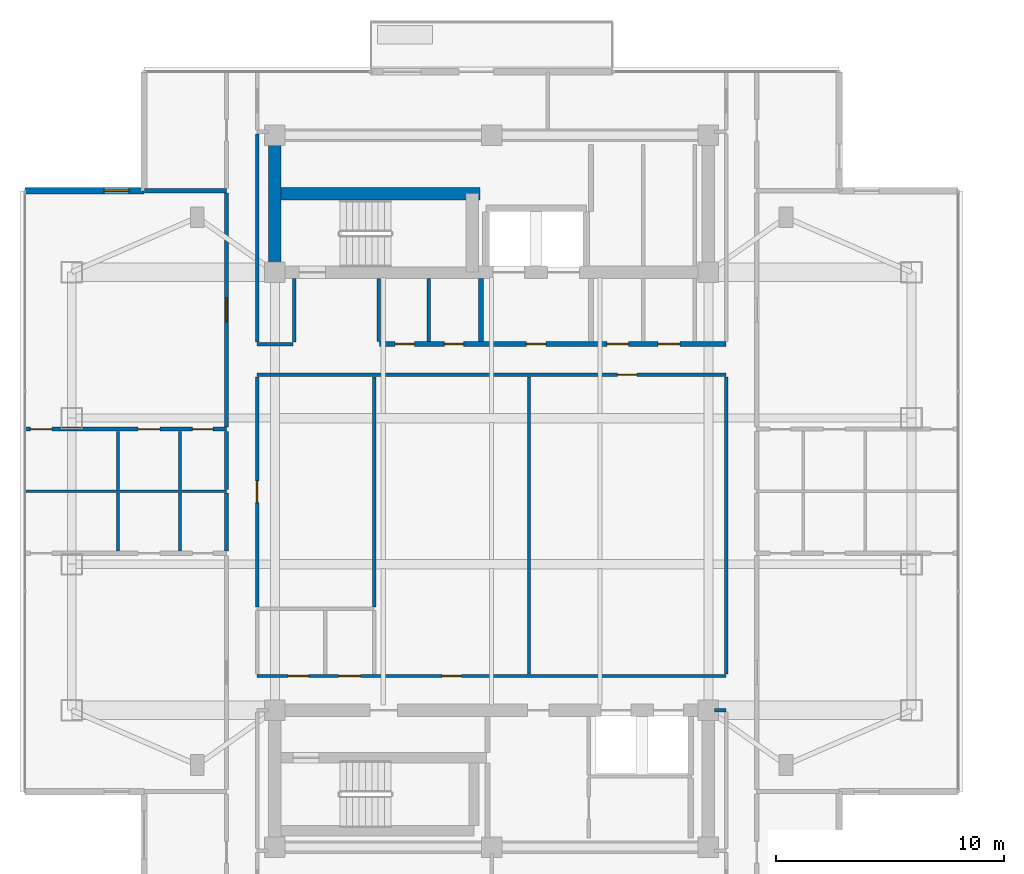
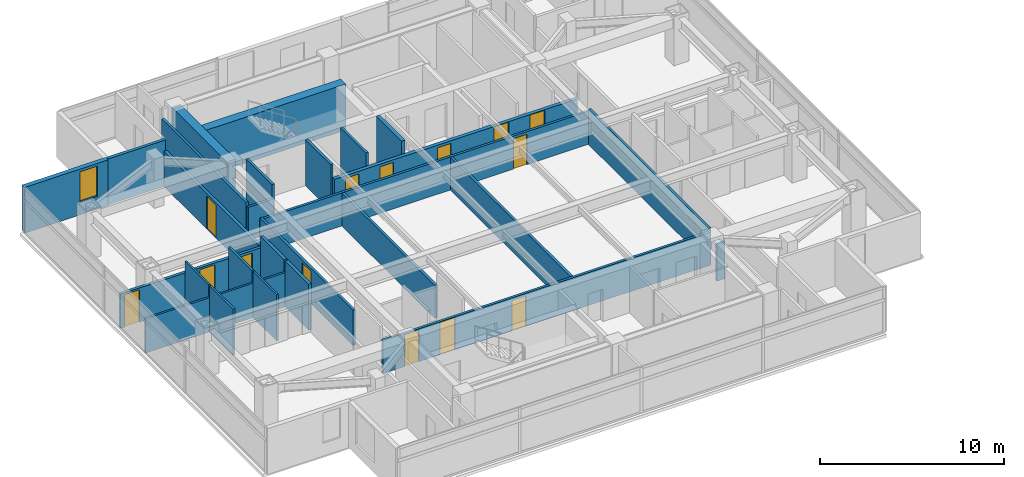
# One storey, part 13 of 24: 27 walls, 14 doors, 1 window, 15 openings.
"""IFC4 building model written with IfcOpenShell, lengths in metres."""

from ifc_helpers import new_model, si_unit, direction, frame, frame_2d, origin, place, context, subcontext, project, spatial, rectangle, extrude, material, layer, layer_set, type_object, element, fill, save


model = new_model("IFC4")

# Units and contexts
model_context = context("Model", 3, precision=1e-05, world=origin(), true_north=direction((0.0, 1.0)))
body_context = subcontext(model_context, "Body", "Model", "MODEL_VIEW")
ifc_project = project(units=[si_unit("LENGTHUNIT", "METRE"), si_unit("AREAUNIT", "SQUARE_METRE"), si_unit("VOLUMEUNIT", "CUBIC_METRE"), si_unit("PLANEANGLEUNIT", "RADIAN"), si_unit("MASSUNIT", "GRAM", prefix="KILO")], contexts=[model_context])

# Site, building, storey
site_placement = place(None, origin())
site = spatial("IfcSite", under=ifc_project, at=site_placement, CompositionType="ELEMENT")
building_placement = place(site_placement, origin())
building = spatial("IfcBuilding", under=site, at=building_placement, Name="Mirazonda Arch Towers", CompositionType="ELEMENT")
storey_placement = place(building_placement, frame((0.0, 0.0, 196.64990234375)))
storey = spatial("IfcBuildingStorey", under=building, at=storey_placement, Name="L56", CompositionType="ELEMENT", Elevation=196.64990234375)

# Walls
ifc_material_1 = material(Name="Concrete C50/60", Category="concrete")
ifc_layer_1 = layer(ifc_material_1, 0.550048828125, Name="WALL-CORE-550")
ifc_layer_set_1 = layer_set([ifc_layer_1], Name="Concrete C50/60")
wall_type_1 = type_object("IfcWallType", Name="WALL-CORE-550", PredefinedType="SHEAR", material=ifc_layer_set_1)
wall_1_placement = place(storey_placement, frame((11.0, 37.60009765625, 0.0), z_axis=(0.0, 0.0, 1.0), x_axis=(0.0, 1.0, 0.0)))
element("IfcWall", 1, at=wall_1_placement, inside=storey, type_object=wall_type_1, Name="L56 T1N-W Core Shear Wall", PredefinedType="SHEAR", context=body_context, shape_type="SweptSolid", body=[
    extrude(rectangle(XDim=6.0, YDim=0.550048828125, at=frame_2d((3.0, 0.0))), origin(), (0.0, 0.0, 1.0), 3.050048828125),
])
wall_2_placement = place(storey_placement, frame((11.0, 41.04296875, 0.0), z_axis=(0.0, 0.0, 1.0), x_axis=(1.0, 0.0, 0.0)))
element("IfcWall", 2, at=wall_2_placement, inside=storey, type_object=wall_type_1, Name="L56 T1N-STN Core Shear Wall", PredefinedType="SHEAR", context=body_context, shape_type="SweptSolid", body=[
    extrude(rectangle(XDim=9.0, YDim=0.550048828125, at=frame_2d((4.5, 0.0))), origin(), (0.0, 0.0, 1.0), 3.050048828125),
])

# Wall, opening, window
ifc_material_2 = material(Name="Precast Concrete C40/50", Category="concrete")
ifc_layer_2 = layer(ifc_material_2, 0.280029296875, Name="WALL-EXT-WALL-280")
ifc_layer_set_2 = layer_set([ifc_layer_2], Name="Precast Concrete C40/50")
wall_type_2 = type_object("IfcWallType", Name="WALL-EXT-WALL-280", PredefinedType="SOLIDWALL", material=ifc_layer_set_2)
wall_3_placement = place(storey_placement, frame((5.264892578125, 41.1669921875, 0.0), z_axis=(0.0, 0.0, 1.0), x_axis=(-1.0, 0.0, 0.0)))
wall_3 = element("IfcWall", 3, at=wall_3_placement, inside=storey, type_object=wall_type_2, Name="L56 T1 Corner Notch Return Wall WL-L56-T1-CNW1", PredefinedType="SOLIDWALL", context=body_context, shape_type="SweptSolid", body=[
    extrude(rectangle(XDim=5.21484375, YDim=0.280029296875, at=frame_2d((2.607421875, 0.0))), origin(), (0.0, 0.0, 1.0), 3.030029296875),
])
opening_1_placement = place(wall_3_placement, frame((0.64990234375, 0.0, 0.85009765625)))
opening_1 = element("IfcOpeningElement", 4, at=opening_1_placement, cuts=wall_3, Name="Opening WN-108", PredefinedType="OPENING", context=body_context, shape_type="SweptSolid", body=[
    extrude(rectangle(XDim=1.10009765625, YDim=2.0, at=frame_2d((0.550048828125, 1.0))), frame((0.0, 0.14990234375, 0.0), z_axis=(0.0, -1.0, 0.0), x_axis=(1.0, 0.0, 0.0)), (0.0, 0.0, 1.0), 0.300048828125),
])
ifc_material_3 = material(Name="Insulated Low-E Solar Glass", Category="glass")
window_type = type_object("IfcWindowType", Name="WIN-NOTCH-1100x2000", PartitioningType="SINGLE_PANEL", PredefinedType="WINDOW", material=ifc_material_3)
window_placement = place(opening_1_placement, origin())
window = element("IfcWindow", 5, at=window_placement, inside=storey, type_object=window_type, Name="L56 Punched Facade Window WN-L56-T1-CNW1", OverallHeight=2.0, OverallWidth=1.10009765625, PartitioningType="SINGLE_PANEL", PredefinedType="WINDOW", context=body_context, shape_type="SweptSolid", body=[
    extrude(rectangle(XDim=1.10009765625, YDim=2.0, at=frame_2d((0.550048828125, 1.0))), frame((0.0, 0.030029296875, 0.0), z_axis=(0.0, -1.0, 0.0), x_axis=(1.0, 0.0, 0.0)), (0.0, 0.0, 1.0), 0.06005859375),
])
fill(opening_1, window)

# Wall, openings, doors
ifc_material_4 = material(Name="Concrete C40/50", Category="concrete")
ifc_layer_3 = layer(ifc_material_4, 0.219970703125, Name="WALL-FFL-220")
ifc_layer_set_3 = layer_set([ifc_layer_3], Name="Concrete C40/50")
wall_type_3 = type_object("IfcWallType", Name="WALL-FFL-220", PredefinedType="SOLIDWALL", material=ifc_layer_set_3)
wall_4_placement = place(storey_placement, frame((15.590087890625, 34.449951171875, 0.0), z_axis=(0.0, 0.0, 1.0), x_axis=(1.0, 0.0, 0.0)))
wall_4 = element("IfcWall", 6, at=wall_4_placement, inside=storey, type_object=wall_type_3, Name="L56 Interior Partition 041", PredefinedType="SOLIDWALL", context=body_context, shape_type="SweptSolid", body=[
    extrude(rectangle(XDim=15.18994140625, YDim=0.219970703125, at=frame_2d((7.594970703125, 0.0))), origin(), (0.0, 0.0, 1.0), 2.18603515625),
])
opening_2_placement = place(wall_4_placement, frame((6.43505859375, 0.0, 0.0)))
opening_2 = element("IfcOpeningElement", 7, at=opening_2_placement, cuts=wall_4, Name="Opening DR-128", PredefinedType="OPENING", context=body_context, shape_type="SweptSolid", body=[
    extrude(rectangle(XDim=0.85009765625, YDim=2.010009765625, at=frame_2d((0.425048828125, 1.0048828125))), frame((0.0, 0.119873046875, 0.0), z_axis=(0.0, -1.0, 0.0), x_axis=(1.0, 0.0, 0.0)), (0.0, 0.0, 1.0), 0.239990234375),
])
opening_3_placement = place(wall_4_placement, frame((9.9599609375, 0.0, 0.0)))
opening_3 = element("IfcOpeningElement", 8, at=opening_3_placement, cuts=wall_4, Name="Opening DR-104", PredefinedType="OPENING", context=body_context, shape_type="SweptSolid", body=[
    extrude(rectangle(XDim=0.949951171875, YDim=2.14990234375, at=frame_2d((0.47509765625, 1.074951171875))), frame((0.0, 0.119873046875, 0.0), z_axis=(0.0, -1.0, 0.0), x_axis=(1.0, 0.0, 0.0)), (0.0, 0.0, 1.0), 0.239990234375),
])
opening_4_placement = place(wall_4_placement, frame((12.2099609375, 0.0, 0.0)))
opening_4 = element("IfcOpeningElement", 9, at=opening_4_placement, cuts=wall_4, Name="Opening DR-104", PredefinedType="OPENING", context=body_context, shape_type="SweptSolid", body=[
    extrude(rectangle(XDim=0.949951171875, YDim=2.14990234375, at=frame_2d((0.47509765625, 1.074951171875))), frame((0.0, 0.119873046875, 0.0), z_axis=(0.0, -1.0, 0.0), x_axis=(1.0, 0.0, 0.0)), (0.0, 0.0, 1.0), 0.239990234375),
])
opening_5_placement = place(wall_4_placement, frame((0.675048828125, 0.0, 0.0)))
opening_5 = element("IfcOpeningElement", 10, at=opening_5_placement, cuts=wall_4, Name="Opening DR-128", PredefinedType="OPENING", context=body_context, shape_type="SweptSolid", body=[
    extrude(rectangle(XDim=0.85009765625, YDim=2.010009765625, at=frame_2d((0.425048828125, 1.0048828125))), frame((0.0, 0.119873046875, 0.0), z_axis=(0.0, -1.0, 0.0), x_axis=(1.0, 0.0, 0.0)), (0.0, 0.0, 1.0), 0.239990234375),
])
opening_6_placement = place(wall_4_placement, frame((2.8349609375, 0.0, 0.0)))
opening_6 = element("IfcOpeningElement", 11, at=opening_6_placement, cuts=wall_4, Name="Opening DR-128", PredefinedType="OPENING", context=body_context, shape_type="SweptSolid", body=[
    extrude(rectangle(XDim=0.85009765625, YDim=2.010009765625, at=frame_2d((0.425048828125, 1.0048828125))), frame((0.0, 0.119873046875, 0.0), z_axis=(0.0, -1.0, 0.0), x_axis=(1.0, 0.0, 0.0)), (0.0, 0.0, 1.0), 0.239990234375),
])
ifc_material_5 = material(Name="Architectural Brushed Steel S355", Category="steel")
door_type_1 = type_object("IfcDoorType", Name="DOOR-RISER-FD60-850", OperationType="NOTDEFINED", PredefinedType="DOOR", material=ifc_material_5)
door_1_placement = place(opening_2_placement, origin())
door_1 = element("IfcDoor", 12, at=door_1_placement, inside=storey, type_object=door_type_1, Name="L56 Firefighting Lift Lobby Door", OperationType="SINGLE_SWING_LEFT", OverallHeight=2.010009765625, OverallWidth=0.85009765625, PredefinedType="DOOR", context=body_context, shape_type="SweptSolid", body=[
    extrude(rectangle(XDim=0.85009765625, YDim=2.010009765625, at=frame_2d((0.425048828125, 1.0048828125))), frame((0.0, 0.02490234375, 0.0), z_axis=(0.0, -1.0, 0.0), x_axis=(1.0, 0.0, 0.0)), (0.0, 0.0, 1.0), 0.050048828125),
])
fill(opening_2, door_1)
door_2_placement = place(opening_5_placement, origin())
door_2 = element("IfcDoor", 13, at=door_2_placement, inside=storey, type_object=door_type_1, Name="L56 Electrical Room Door", OperationType="SINGLE_SWING_RIGHT", OverallHeight=2.010009765625, OverallWidth=0.85009765625, PredefinedType="DOOR", context=body_context, shape_type="SweptSolid", body=[
    extrude(rectangle(XDim=0.85009765625, YDim=2.010009765625, at=frame_2d((0.425048828125, 1.0048828125))), frame((0.0, 0.02490234375, 0.0), z_axis=(0.0, -1.0, 0.0), x_axis=(1.0, 0.0, 0.0)), (0.0, 0.0, 1.0), 0.050048828125),
])
fill(opening_5, door_2)
door_3_placement = place(opening_6_placement, origin())
door_3 = element("IfcDoor", 14, at=door_3_placement, inside=storey, type_object=door_type_1, Name="L56 Cleaners & Housekeeping Store Door", OperationType="SINGLE_SWING_LEFT", OverallHeight=2.010009765625, OverallWidth=0.85009765625, PredefinedType="DOOR", context=body_context, shape_type="SweptSolid", body=[
    extrude(rectangle(XDim=0.85009765625, YDim=2.010009765625, at=frame_2d((0.425048828125, 1.0048828125))), frame((0.0, 0.02490234375, 0.0), z_axis=(0.0, -1.0, 0.0), x_axis=(1.0, 0.0, 0.0)), (0.0, 0.0, 1.0), 0.050048828125),
])
fill(opening_6, door_3)
door_type_2 = type_object("IfcDoorType", Name="DOOR-ROOM-950", OperationType="NOTDEFINED", PredefinedType="DOOR", material=ifc_material_5)
door_4_placement = place(opening_3_placement, origin())
door_4 = element("IfcDoor", 15, at=door_4_placement, inside=storey, type_object=door_type_2, Name="L56 Residents Private Art Gallery Door", OperationType="SINGLE_SWING_RIGHT", OverallHeight=2.14990234375, OverallWidth=0.949951171875, PredefinedType="DOOR", context=body_context, shape_type="SweptSolid", body=[
    extrude(rectangle(XDim=0.949951171875, YDim=2.14990234375, at=frame_2d((0.47509765625, 1.074951171875))), frame((0.0, 0.02490234375, 0.0), z_axis=(0.0, -1.0, 0.0), x_axis=(1.0, 0.0, 0.0)), (0.0, 0.0, 1.0), 0.050048828125),
])
fill(opening_3, door_4)
door_5_placement = place(opening_4_placement, origin())
door_5 = element("IfcDoor", 16, at=door_5_placement, inside=storey, type_object=door_type_2, Name="L56 Private Quiet Study Door", OperationType="SINGLE_SWING_LEFT", OverallHeight=2.14990234375, OverallWidth=0.949951171875, PredefinedType="DOOR", context=body_context, shape_type="SweptSolid", body=[
    extrude(rectangle(XDim=0.949951171875, YDim=2.14990234375, at=frame_2d((0.47509765625, 1.074951171875))), frame((0.0, 0.02490234375, 0.0), z_axis=(0.0, -1.0, 0.0), x_axis=(1.0, 0.0, 0.0)), (0.0, 0.0, 1.0), 0.050048828125),
])
fill(opening_4, door_5)

# Walls
wall_5_placement = place(storey_placement, frame((20.02490234375, 34.570068359375, 0.0), z_axis=(0.0, 0.0, 1.0), x_axis=(0.0, 1.0, 0.0)))
element("IfcWall", 17, at=wall_5_placement, inside=storey, type_object=wall_type_3, Name="L56 Interior Partition 077", PredefinedType="SOLIDWALL", context=body_context, shape_type="SweptSolid", body=[
    extrude(rectangle(XDim=2.760009765625, YDim=0.219970703125, at=frame_2d((1.3798828125, 0.0))), origin(), (0.0, 0.0, 1.0), 3.050048828125),
])
ifc_material_6 = material(Name="Fire-Rated Gypsum Stud Partition")
ifc_layer_4 = layer(ifc_material_6, 0.14990234375, Name="WALL-PART-CORR-150")
ifc_layer_set_4 = layer_set([ifc_layer_4], Name="Fire-Rated Gypsum Stud Partition")
wall_type_4 = type_object("IfcWallType", Name="WALL-PART-CORR-150", PredefinedType="PARTITIONING", material=ifc_layer_set_4)
wall_6_placement = place(storey_placement, frame((30.27001953125, 18.39990234375, 0.0), z_axis=(0.0, 0.0, 1.0), x_axis=(1.0, 0.0, 0.0)))
element("IfcWall", 18, at=wall_6_placement, inside=storey, type_object=wall_type_4, Name="L56 Interior Partition 012", PredefinedType="PARTITIONING", context=body_context, shape_type="SweptSolid", body=[
    extrude(rectangle(XDim=0.510009765625, YDim=0.14990234375, at=frame_2d((0.2548828125, 0.0))), origin(), (0.0, 0.0, 1.0), 2.442138671875),
])

# Wall, openings, doors
wall_7_placement = place(storey_placement, frame((10.219970703125, 19.89990234375, 0.0), z_axis=(0.0, 0.0, 1.0), x_axis=(1.0, 0.0, 0.0)))
wall_7 = element("IfcWall", 19, at=wall_7_placement, inside=storey, type_object=wall_type_4, Name="L56 Interior Partition 014", PredefinedType="PARTITIONING", context=body_context, shape_type="SweptSolid", body=[
    extrude(rectangle(XDim=20.56005859375, YDim=0.14990234375, at=frame_2d((10.280029296875, 0.0))), origin(), (0.0, 0.0, 1.0), 2.18603515625),
])
opening_7_placement = place(wall_7_placement, frame((1.360107421875, 0.0, 0.0)))
opening_7 = element("IfcOpeningElement", 20, at=opening_7_placement, cuts=wall_7, Name="Opening DR-120", PredefinedType="OPENING", context=body_context, shape_type="SweptSolid", body=[
    extrude(rectangle(XDim=0.89990234375, YDim=2.10009765625, at=frame_2d((0.449951171875, 1.050048828125))), frame((0.0, 0.0849609375, 0.0), z_axis=(0.0, -1.0, 0.0), x_axis=(1.0, 0.0, 0.0)), (0.0, 0.0, 1.0), 0.169921875),
])
opening_8_placement = place(wall_7_placement, frame((3.580078125, 0.0, 0.0)))
opening_8 = element("IfcOpeningElement", 21, at=opening_8_placement, cuts=wall_7, Name="Opening DR-104", PredefinedType="OPENING", context=body_context, shape_type="SweptSolid", body=[
    extrude(rectangle(XDim=0.949951171875, YDim=2.14990234375, at=frame_2d((0.47509765625, 1.074951171875))), frame((0.0, 0.0849609375, 0.0), z_axis=(0.0, -1.0, 0.0), x_axis=(1.0, 0.0, 0.0)), (0.0, 0.0, 1.0), 0.169921875),
])
opening_9_placement = place(wall_7_placement, frame((8.099609375, 0.0, 0.0)))
opening_9 = element("IfcOpeningElement", 22, at=opening_9_placement, cuts=wall_7, Name="Opening DR-128", PredefinedType="OPENING", context=body_context, shape_type="SweptSolid", body=[
    extrude(rectangle(XDim=0.85009765625, YDim=2.010009765625, at=frame_2d((0.425048828125, 1.0048828125))), frame((0.0, 0.0849609375, 0.0), z_axis=(0.0, -1.0, 0.0), x_axis=(1.0, 0.0, 0.0)), (0.0, 0.0, 1.0), 0.169921875),
])
door_6_placement = place(opening_9_placement, origin())
door_6 = element("IfcDoor", 23, at=door_6_placement, inside=storey, type_object=door_type_1, Name="L56 Residents Private Library Door", OperationType="SINGLE_SWING_LEFT", OverallHeight=2.010009765625, OverallWidth=0.85009765625, PredefinedType="DOOR", context=body_context, shape_type="SweptSolid", body=[
    extrude(rectangle(XDim=0.85009765625, YDim=2.010009765625, at=frame_2d((0.425048828125, 1.0048828125))), frame((0.0, 0.02490234375, 0.0), z_axis=(0.0, -1.0, 0.0), x_axis=(1.0, 0.0, 0.0)), (0.0, 0.0, 1.0), 0.050048828125),
])
fill(opening_9, door_6)
door_7_placement = place(opening_8_placement, origin())
door_7 = element("IfcDoor", 24, at=door_7_placement, inside=storey, type_object=door_type_2, Name="L56 L56 West Courtyard Study Door", OperationType="SINGLE_SWING_LEFT", OverallHeight=2.14990234375, OverallWidth=0.949951171875, PredefinedType="DOOR", context=body_context, shape_type="SweptSolid", body=[
    extrude(rectangle(XDim=0.949951171875, YDim=2.14990234375, at=frame_2d((0.47509765625, 1.074951171875))), frame((0.0, 0.02490234375, 0.0), z_axis=(0.0, -1.0, 0.0), x_axis=(1.0, 0.0, 0.0)), (0.0, 0.0, 1.0), 0.050048828125),
])
fill(opening_8, door_7)
door_type_3 = type_object("IfcDoorType", Name="DOOR-WC-900", OperationType="NOTDEFINED", PredefinedType="DOOR", material=ifc_material_5)
door_8_placement = place(opening_7_placement, origin())
door_8 = element("IfcDoor", 25, at=door_8_placement, inside=storey, type_object=door_type_3, Name="L56 Common Accessible WC Door", OperationType="SINGLE_SWING_RIGHT", OverallHeight=2.10009765625, OverallWidth=0.89990234375, PredefinedType="DOOR", context=body_context, shape_type="SweptSolid", body=[
    extrude(rectangle(XDim=0.89990234375, YDim=2.10009765625, at=frame_2d((0.449951171875, 1.050048828125))), frame((0.0, 0.02490234375, 0.0), z_axis=(0.0, -1.0, 0.0), x_axis=(1.0, 0.0, 0.0)), (0.0, 0.0, 1.0), 0.050048828125),
])
fill(opening_7, door_8)

# Wall, opening, door
wall_8_placement = place(storey_placement, frame((10.219970703125, 33.10009765625, 0.0), z_axis=(0.0, 0.0, 1.0), x_axis=(1.0, 0.0, 0.0)))
wall_8 = element("IfcWall", 26, at=wall_8_placement, inside=storey, type_object=wall_type_4, Name="L56 Interior Partition 039", PredefinedType="PARTITIONING", context=body_context, shape_type="SweptSolid", body=[
    extrude(rectangle(XDim=20.56005859375, YDim=0.14990234375, at=frame_2d((10.280029296875, 0.0))), origin(), (0.0, 0.0, 1.0), 2.18603515625),
])
opening_10_placement = place(wall_8_placement, frame((15.79443359375, 0.0, 0.0)))
opening_10 = element("IfcOpeningElement", 27, at=opening_10_placement, cuts=wall_8, Name="Opening DR-128", PredefinedType="OPENING", context=body_context, shape_type="SweptSolid", body=[
    extrude(rectangle(XDim=0.85009765625, YDim=2.010009765625, at=frame_2d((0.425048828125, 1.0048828125))), frame((0.0, 0.0849609375, 0.0), z_axis=(0.0, -1.0, 0.0), x_axis=(1.0, 0.0, 0.0)), (0.0, 0.0, 1.0), 0.169921875),
])
door_9_placement = place(opening_10_placement, origin())
door_9 = element("IfcDoor", 28, at=door_9_placement, inside=storey, type_object=door_type_1, Name="L56 Chamber Music & Screening Salon Door", OperationType="SINGLE_SWING_RIGHT", OverallHeight=2.010009765625, OverallWidth=0.85009765625, PredefinedType="DOOR", context=body_context, shape_type="SweptSolid", body=[
    extrude(rectangle(XDim=0.85009765625, YDim=2.010009765625, at=frame_2d((0.425048828125, 1.0048828125))), frame((0.0, 0.02490234375, 0.0), z_axis=(0.0, -1.0, 0.0), x_axis=(1.0, 0.0, 0.0)), (0.0, 0.0, 1.0), 0.050048828125),
])
fill(opening_10, door_9)

# Wall
wall_9_placement = place(storey_placement, frame((10.219970703125, 34.449951171875, 0.0), z_axis=(0.0, 0.0, 1.0), x_axis=(1.0, 0.0, 0.0)))
element("IfcWall", 29, at=wall_9_placement, inside=storey, type_object=wall_type_4, Name="L56 Interior Partition 040", PredefinedType="PARTITIONING", context=body_context, shape_type="SweptSolid", body=[
    extrude(rectangle(XDim=1.580078125, YDim=0.14990234375, at=frame_2d((0.7900390625, 0.0))), origin(), (0.0, 0.0, 1.0), 2.18603515625),
])

# Wall, opening, door
wall_10_placement = place(storey_placement, frame((10.219970703125, 22.93505859375, 0.0), z_axis=(0.0, 0.0, 1.0), x_axis=(0.0, 1.0, 0.0)))
wall_10 = element("IfcWall", 30, at=wall_10_placement, inside=storey, type_object=wall_type_4, Name="L56 Interior Partition 067", PredefinedType="PARTITIONING", context=body_context, shape_type="SweptSolid", body=[
    extrude(rectangle(XDim=10.079833984375, YDim=0.14990234375, at=frame_2d((5.0400390625, 0.0))), origin(), (0.0, 0.0, 1.0), 2.34619140625),
])
opening_11_placement = place(wall_10_placement, frame((4.56494140625, 0.0, 0.0)))
opening_11 = element("IfcOpeningElement", 31, at=opening_11_placement, cuts=wall_10, Name="Opening DR-104", PredefinedType="OPENING", context=body_context, shape_type="SweptSolid", body=[
    extrude(rectangle(XDim=0.949951171875, YDim=2.14990234375, at=frame_2d((0.47509765625, 1.074951171875))), frame((0.0, 0.0849609375, 0.0), z_axis=(0.0, -1.0, 0.0), x_axis=(1.0, 0.0, 0.0)), (0.0, 0.0, 1.0), 0.169921875),
])
door_10_placement = place(opening_11_placement, origin())
door_10 = element("IfcDoor", 32, at=door_10_placement, inside=storey, type_object=door_type_2, Name="L56 L56 West Courtyard Salon Door", OperationType="SINGLE_SWING_RIGHT", OverallHeight=2.14990234375, OverallWidth=0.949951171875, PredefinedType="DOOR", context=body_context, shape_type="SweptSolid", body=[
    extrude(rectangle(XDim=0.949951171875, YDim=2.14990234375, at=frame_2d((0.47509765625, 1.074951171875))), frame((0.0, 0.02490234375, 0.0), z_axis=(0.0, -1.0, 0.0), x_axis=(1.0, 0.0, 0.0)), (0.0, 0.0, 1.0), 0.050048828125),
])
fill(opening_11, door_10)

# Walls
wall_11_placement = place(storey_placement, frame((10.219970703125, 34.534912109375, 0.0), z_axis=(0.0, 0.0, 1.0), x_axis=(0.0, 1.0, 0.0)))
element("IfcWall", 33, at=wall_11_placement, inside=storey, type_object=wall_type_4, Name="L56 Interior Partition 068", PredefinedType="PARTITIONING", context=body_context, shape_type="SweptSolid", body=[
    extrude(rectangle(XDim=9.130126953125, YDim=0.14990234375, at=frame_2d((4.56494140625, 0.0))), origin(), (0.0, 0.0, 1.0), 2.442138671875),
])
wall_12_placement = place(storey_placement, frame((11.85009765625, 34.534912109375, 0.0), z_axis=(0.0, 0.0, 1.0), x_axis=(0.0, 1.0, 0.0)))
element("IfcWall", 34, at=wall_12_placement, inside=storey, type_object=wall_type_4, Name="L56 Interior Partition 070", PredefinedType="PARTITIONING", context=body_context, shape_type="SweptSolid", body=[
    extrude(rectangle(XDim=2.795166015625, YDim=0.14990234375, at=frame_2d((1.3974609375, 0.0))), origin(), (0.0, 0.0, 1.0), 3.050048828125),
])
wall_13_placement = place(storey_placement, frame((15.35009765625, 22.93505859375, 0.0), z_axis=(0.0, 0.0, 1.0), x_axis=(0.0, 1.0, 0.0)))
element("IfcWall", 35, at=wall_13_placement, inside=storey, type_object=wall_type_4, Name="L56 Interior Partition 073", PredefinedType="PARTITIONING", context=body_context, shape_type="SweptSolid", body=[
    extrude(rectangle(XDim=10.079833984375, YDim=0.14990234375, at=frame_2d((5.0400390625, 0.0))), origin(), (0.0, 0.0, 1.0), 2.18603515625),
])
for number, where, z_axis, x_axis, name in (
    (36, (15.550048828125, 34.570068359375, 0.0), (0.0, 0.0, 1.0), (0.0, 1.0, 0.0), "L56 Interior Partition 074"),
    (37, (17.75, 34.570068359375, 0.0), (0.0, 0.0, 1.0), (0.0, 1.0, 0.0), "L56 Interior Partition 075"),
):
    element("IfcWall", number, at=place(storey_placement, frame(where, z_axis=z_axis, x_axis=x_axis)), inside=storey, type_object=wall_type_4, Name=name, PredefinedType="PARTITIONING", context=body_context, shape_type="SweptSolid", body=[
        extrude(rectangle(XDim=2.760009765625, YDim=0.14990234375, at=frame_2d((1.3798828125, 0.0))), origin(), (0.0, 0.0, 1.0), 3.050048828125),
    ])
wall_14_placement = place(storey_placement, frame((22.138916015625, 19.985107421875, 0.0), z_axis=(0.0, 0.0, 1.0), x_axis=(0.0, 1.0, 0.0)))
element("IfcWall", 38, at=wall_14_placement, inside=storey, type_object=wall_type_4, Name="L56 Interior Partition 082", PredefinedType="PARTITIONING", context=body_context, shape_type="SweptSolid", body=[
    extrude(rectangle(XDim=13.02978515625, YDim=0.14990234375, at=frame_2d((6.514892578125, 0.0))), origin(), (0.0, 0.0, 1.0), 2.18603515625),
])
wall_15_placement = place(storey_placement, frame((30.780029296875, 19.985107421875, 0.0), z_axis=(0.0, 0.0, 1.0), x_axis=(0.0, 1.0, 0.0)))
element("IfcWall", 39, at=wall_15_placement, inside=storey, type_object=wall_type_4, Name="L56 Interior Partition 097", PredefinedType="PARTITIONING", context=body_context, shape_type="SweptSolid", body=[
    extrude(rectangle(XDim=13.02978515625, YDim=0.14990234375, at=frame_2d((6.514892578125, 0.0))), origin(), (0.0, 0.0, 1.0), 2.34619140625),
])

# Wall, openings, doors
ifc_material_7 = material(Name="Fire-Rated Gypsum Twin-Stud Assembly")
ifc_layer_5 = layer(ifc_material_7, 0.179931640625, Name="WALL-PART-DEMISE-180")
ifc_layer_set_5 = layer_set([ifc_layer_5], Name="Fire-Rated Gypsum Twin-Stud Assembly")
wall_type_5 = type_object("IfcWallType", Name="WALL-PART-DEMISE-180", PredefinedType="PARTITIONING", material=ifc_layer_set_5)
wall_16_placement = place(storey_placement, frame((0.050048828125, 30.719970703125, 0.0), z_axis=(0.0, 0.0, 1.0), x_axis=(1.0, 0.0, 0.0)))
wall_16 = element("IfcWall", 40, at=wall_16_placement, inside=storey, type_object=wall_type_5, Name="L56 Interior Partition 035", PredefinedType="PARTITIONING", context=body_context, shape_type="SweptSolid", body=[
    extrude(rectangle(XDim=8.829833984375, YDim=0.179931640625, at=frame_2d((4.4150390625, 0.0))), origin(), (0.0, 0.0, 1.0), 2.26904296875),
])
opening_12_placement = place(wall_16_placement, frame((0.23193359375, 0.0, 0.0)))
opening_12 = element("IfcOpeningElement", 41, at=opening_12_placement, cuts=wall_16, Name="Opening DR-104", PredefinedType="OPENING", context=body_context, shape_type="SweptSolid", body=[
    extrude(rectangle(XDim=0.949951171875, YDim=2.14990234375, at=frame_2d((0.47509765625, 1.074951171875))), frame((0.0, 0.099853515625, 0.0), z_axis=(0.0, -1.0, 0.0), x_axis=(1.0, 0.0, 0.0)), (0.0, 0.0, 1.0), 0.199951171875),
])
opening_13_placement = place(wall_16_placement, frame((4.95703125, 0.0, 0.0)))
opening_13 = element("IfcOpeningElement", 42, at=opening_13_placement, cuts=wall_16, Name="Opening DR-104", PredefinedType="OPENING", context=body_context, shape_type="SweptSolid", body=[
    extrude(rectangle(XDim=0.949951171875, YDim=2.14990234375, at=frame_2d((0.47509765625, 1.074951171875))), frame((0.0, 0.099853515625, 0.0), z_axis=(0.0, -1.0, 0.0), x_axis=(1.0, 0.0, 0.0)), (0.0, 0.0, 1.0), 0.199951171875),
])
opening_14_placement = place(wall_16_placement, frame((7.340087890625, 0.0, 0.0)))
opening_14 = element("IfcOpeningElement", 43, at=opening_14_placement, cuts=wall_16, Name="Opening DR-120", PredefinedType="OPENING", context=body_context, shape_type="SweptSolid", body=[
    extrude(rectangle(XDim=0.89990234375, YDim=2.10009765625, at=frame_2d((0.449951171875, 1.050048828125))), frame((0.0, 0.099853515625, 0.0), z_axis=(0.0, -1.0, 0.0), x_axis=(1.0, 0.0, 0.0)), (0.0, 0.0, 1.0), 0.199951171875),
])
door_11_placement = place(opening_12_placement, origin())
door_11 = element("IfcDoor", 44, at=door_11_placement, inside=storey, type_object=door_type_2, Name="L56 Residence 2 Principal Bedroom Door", OperationType="SINGLE_SWING_RIGHT", OverallHeight=2.14990234375, OverallWidth=0.949951171875, PredefinedType="DOOR", context=body_context, shape_type="SweptSolid", body=[
    extrude(rectangle(XDim=0.949951171875, YDim=2.14990234375, at=frame_2d((0.47509765625, 1.074951171875))), frame((0.0, 0.02490234375, 0.0), z_axis=(0.0, -1.0, 0.0), x_axis=(1.0, 0.0, 0.0)), (0.0, 0.0, 1.0), 0.050048828125),
])
fill(opening_12, door_11)
door_12_placement = place(opening_13_placement, origin())
door_12 = element("IfcDoor", 45, at=door_12_placement, inside=storey, type_object=door_type_2, Name="L56 Residence 2 Fitted Kitchen Door", OperationType="SINGLE_SWING_LEFT", OverallHeight=2.14990234375, OverallWidth=0.949951171875, PredefinedType="DOOR", context=body_context, shape_type="SweptSolid", body=[
    extrude(rectangle(XDim=0.949951171875, YDim=2.14990234375, at=frame_2d((0.47509765625, 1.074951171875))), frame((0.0, 0.02490234375, 0.0), z_axis=(0.0, -1.0, 0.0), x_axis=(1.0, 0.0, 0.0)), (0.0, 0.0, 1.0), 0.050048828125),
])
fill(opening_13, door_12)
door_13_placement = place(opening_14_placement, origin())
door_13 = element("IfcDoor", 46, at=door_13_placement, inside=storey, type_object=door_type_3, Name="L56 Residence 2 Bathroom Door", OperationType="SINGLE_SWING_RIGHT", OverallHeight=2.10009765625, OverallWidth=0.89990234375, PredefinedType="DOOR", context=body_context, shape_type="SweptSolid", body=[
    extrude(rectangle(XDim=0.89990234375, YDim=2.10009765625, at=frame_2d((0.449951171875, 1.050048828125))), frame((0.0, 0.02490234375, 0.0), z_axis=(0.0, -1.0, 0.0), x_axis=(1.0, 0.0, 0.0)), (0.0, 0.0, 1.0), 0.050048828125),
])
fill(opening_14, door_13)

# Walls
wall_17_placement = place(storey_placement, frame((5.284912109375, 41.1669921875, 0.0), z_axis=(0.0, 0.0, 1.0), x_axis=(1.0, 0.0, 0.0)))
element("IfcWall", 47, at=wall_17_placement, inside=storey, type_object=wall_type_5, Name="L56 Interior Partition 050", PredefinedType="PARTITIONING", context=body_context, shape_type="SweptSolid", body=[
    extrude(rectangle(XDim=3.594970703125, YDim=0.179931640625, at=frame_2d((1.79736328125, 0.0))), origin(), (0.0, 0.0, 1.0), 3.050048828125),
])
for number, where, z_axis, x_axis, name in (
    (48, (8.8798828125, 25.3798828125, 0.0), (0.0, 0.0, 1.0), (0.0, 1.0, 0.0), "L56 Interior Partition 060"),
    (49, (8.8798828125, 28.072509765625, 0.0), (0.0, 0.0, 1.0), (0.0, 1.0, 0.0), "L56 Interior Partition 061"),
):
    element("IfcWall", number, at=place(storey_placement, frame(where, z_axis=z_axis, x_axis=x_axis)), inside=storey, type_object=wall_type_5, Name=name, PredefinedType="PARTITIONING", context=body_context, shape_type="SweptSolid", body=[
        extrude(rectangle(XDim=2.547607421875, YDim=0.179931640625, at=frame_2d((1.27392578125, 0.0))), origin(), (0.0, 0.0, 1.0), 3.050048828125),
    ])

# Wall, opening, door
wall_18_placement = place(storey_placement, frame((8.8798828125, 30.820068359375, 0.0), z_axis=(0.0, 0.0, 1.0), x_axis=(0.0, 1.0, 0.0)))
wall_18 = element("IfcWall", 50, at=wall_18_placement, inside=storey, type_object=wall_type_5, Name="L56 Interior Partition 062", PredefinedType="PARTITIONING", context=body_context, shape_type="SweptSolid", body=[
    extrude(rectangle(XDim=10.246826171875, YDim=0.179931640625, at=frame_2d((5.12353515625, 0.0))), origin(), (0.0, 0.0, 1.0), 2.34619140625),
])
opening_15_placement = place(wall_18_placement, frame((4.598388671875, 0.0, 0.0)))
opening_15 = element("IfcOpeningElement", 51, at=opening_15_placement, cuts=wall_18, Name="Opening DR-121", PredefinedType="OPENING", context=body_context, shape_type="SweptSolid", body=[
    extrude(rectangle(XDim=1.050048828125, YDim=2.199951171875, at=frame_2d((0.52490234375, 1.10009765625))), frame((0.0, 0.099853515625, 0.0), z_axis=(0.0, -1.0, 0.0), x_axis=(1.0, 0.0, 0.0)), (0.0, 0.0, 1.0), 0.199951171875),
])
door_type_4 = type_object("IfcDoorType", Name="DOOR-SUITE-FD60-1050", OperationType="NOTDEFINED", PredefinedType="DOOR", material=ifc_material_5)
door_14_placement = place(opening_15_placement, origin())
door_14 = element("IfcDoor", 52, at=door_14_placement, inside=storey, type_object=door_type_4, Name="L56 Penthouse Residence 2 Living & Dining Salon Door", OperationType="SINGLE_SWING_LEFT", OverallHeight=2.199951171875, OverallWidth=1.050048828125, PredefinedType="DOOR", context=body_context, shape_type="SweptSolid", body=[
    extrude(rectangle(XDim=1.050048828125, YDim=2.199951171875, at=frame_2d((0.52490234375, 1.10009765625))), frame((0.0, 0.02490234375, 0.0), z_axis=(0.0, -1.0, 0.0), x_axis=(1.0, 0.0, 0.0)), (0.0, 0.0, 1.0), 0.050048828125),
])
fill(opening_15, door_14)

# Walls
ifc_material_8 = material(Name="Acoustic Fire-Rated Gypsum Partition")
ifc_layer_6 = layer(ifc_material_8, 0.125, Name="WALL-PART-UNIT-125")
ifc_layer_set_6 = layer_set([ifc_layer_6], Name="Acoustic Fire-Rated Gypsum Partition")
wall_type_6 = type_object("IfcWallType", Name="WALL-PART-UNIT-125", PredefinedType="PARTITIONING", material=ifc_layer_set_6)
wall_19_placement = place(storey_placement, frame((0.050048828125, 28.0, 0.0), z_axis=(0.0, 0.0, 1.0), x_axis=(1.0, 0.0, 0.0)))
element("IfcWall", 53, at=wall_19_placement, inside=storey, type_object=wall_type_6, Name="L56 Interior Partition 029", PredefinedType="PARTITIONING", context=body_context, shape_type="SweptSolid", body=[
    extrude(rectangle(XDim=8.829833984375, YDim=0.125, at=frame_2d((4.4150390625, 0.0))), origin(), (0.0, 0.0, 1.0), 2.26904296875),
])
for number, where, z_axis, x_axis, name in (
    (54, (4.1240234375, 25.3798828125, 0.0), (0.0, 0.0, 1.0), (0.0, 1.0, 0.0), "L56 Interior Partition 054"),
    (55, (4.1240234375, 28.072509765625, 0.0), (0.0, 0.0, 1.0), (0.0, 1.0, 0.0), "L56 Interior Partition 055"),
    (56, (6.840087890625, 25.3798828125, 0.0), (0.0, 0.0, 1.0), (0.0, 1.0, 0.0), "L56 Interior Partition 056"),
    (57, (6.840087890625, 28.072509765625, 0.0), (0.0, 0.0, 1.0), (0.0, 1.0, 0.0), "L56 Interior Partition 057"),
):
    element("IfcWall", number, at=place(storey_placement, frame(where, z_axis=z_axis, x_axis=x_axis)), inside=storey, type_object=wall_type_6, Name=name, PredefinedType="PARTITIONING", context=body_context, shape_type="SweptSolid", body=[
        extrude(rectangle(XDim=2.547607421875, YDim=0.125, at=frame_2d((1.27392578125, 0.0))), origin(), (0.0, 0.0, 1.0), 3.050048828125),
    ])

save(model, "model.ifc")
